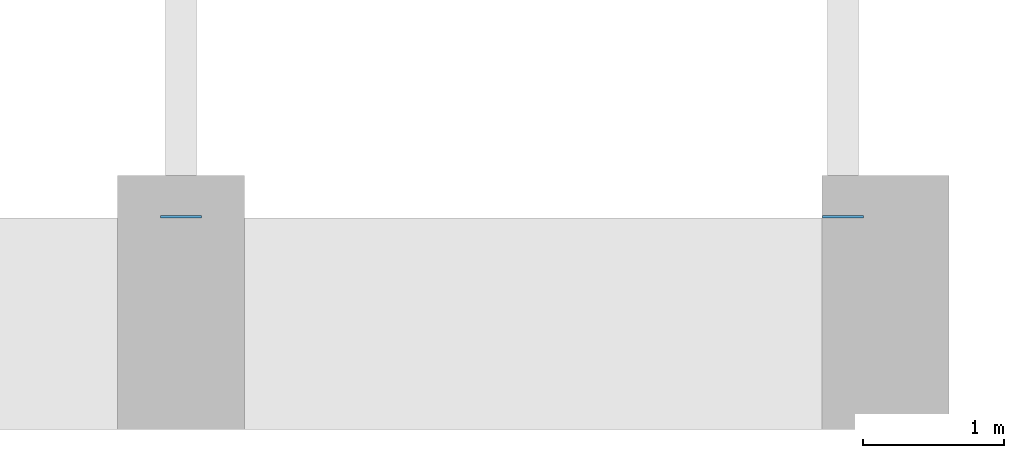
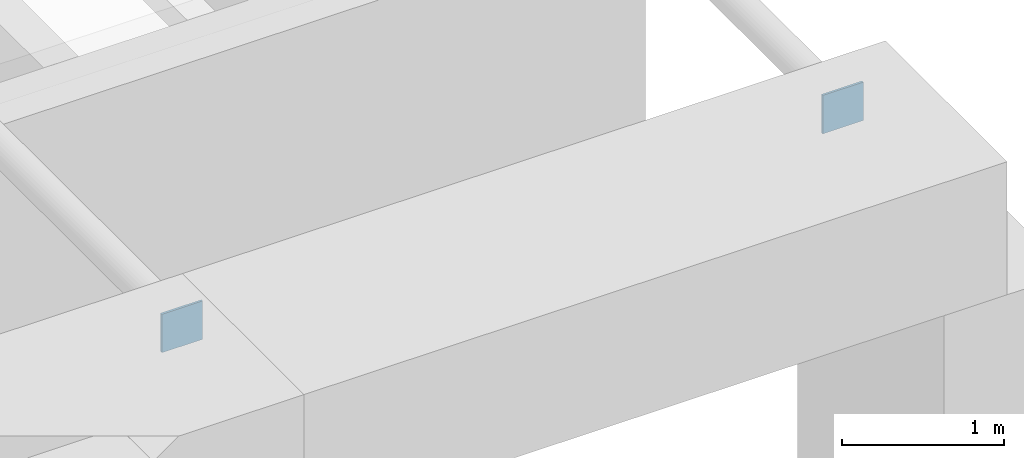
# One storey, part 63 of 92: 2 discrete accessories.
"""IFC4 building model written with IfcOpenShell, lengths in metres."""

from ifc_helpers import new_model, si_unit, direction, frame, origin, place, context, subcontext, project, spatial, polyline, outline, extrude, source, transform, mapped, material, layer, layer_set, type_object, element, save


model = new_model("IFC4")

# Units and contexts
model_context = context("Model", 3, precision=1e-05, world=origin(), true_north=direction((0.0, 1.0)))
body_context = subcontext(model_context, "Body", "Model", "MODEL_VIEW")
ifc_project = project(units=[si_unit("LENGTHUNIT", "METRE"), si_unit("AREAUNIT", "SQUARE_METRE"), si_unit("VOLUMEUNIT", "CUBIC_METRE"), si_unit("PLANEANGLEUNIT", "RADIAN"), si_unit("MASSUNIT", "GRAM", prefix="KILO")], contexts=[model_context])

# Site, building, storey
site_placement = place(None, origin())
site = spatial("IfcSite", under=ifc_project, at=site_placement, CompositionType="ELEMENT")
building_placement = place(site_placement, origin())
building = spatial("IfcBuilding", under=site, at=building_placement, Name="Merrow Basin Faculty of Sciences", CompositionType="ELEMENT")
storey_placement = place(building_placement, frame((0.0, 0.0, 4.5)))
storey = spatial("IfcBuildingStorey", under=building, at=storey_placement, Name="L01", CompositionType="ELEMENT", Elevation=4.5)

# Discrete accessories
ifc_material = material(Name="Steel ASTM A572 Gr 50", Category="steel")
ifc_layer = layer(ifc_material, 0.01611328125)
ifc_layer_set = layer_set([ifc_layer], Name="Steel end plate 289 x 289 x 16")
discrete_accessory_type = type_object("IfcDiscreteAccessoryType", Name="Steel end plate 289 x 289 x 16", PredefinedType="ANCHORPLATE", material=ifc_layer_set)
shared_shape = source(origin(), body_context, "Body", "SweptSolid", [
    extrude(outline(polyline([(0.0, 0.0), (0.2890625, 0.0), (0.2890625, 0.2890625), (0.0, 0.2890625), (0.0, 0.0)])), origin(), (0.0, 0.0, 1.0), 0.01611328125),
])
for number, where, z_axis, x_axis, name in (
    (1, (29.85498046875, 1.51611328125, 3.955078125), (0.0, -1.0, 0.0), (1.0, 0.0, 0.0), "End plate Tie Q start"),
    (2, (34.554931640625, 1.51611328125, 3.955078125), (0.0, -1.0, 0.0), (1.0, 0.0, 0.0), "End plate Tie R start"),
):
    element("IfcDiscreteAccessory", number, at=place(storey_placement, frame(where, z_axis=z_axis, x_axis=x_axis)), inside=storey, type_object=discrete_accessory_type, Name=name, PredefinedType="ANCHORPLATE", context=body_context, shape_type="MappedRepresentation", body=[
        mapped(shared_shape, transform((0.0, 0.0, 0.0), scale=1.0)),
    ])

save(model, "model.ifc")
